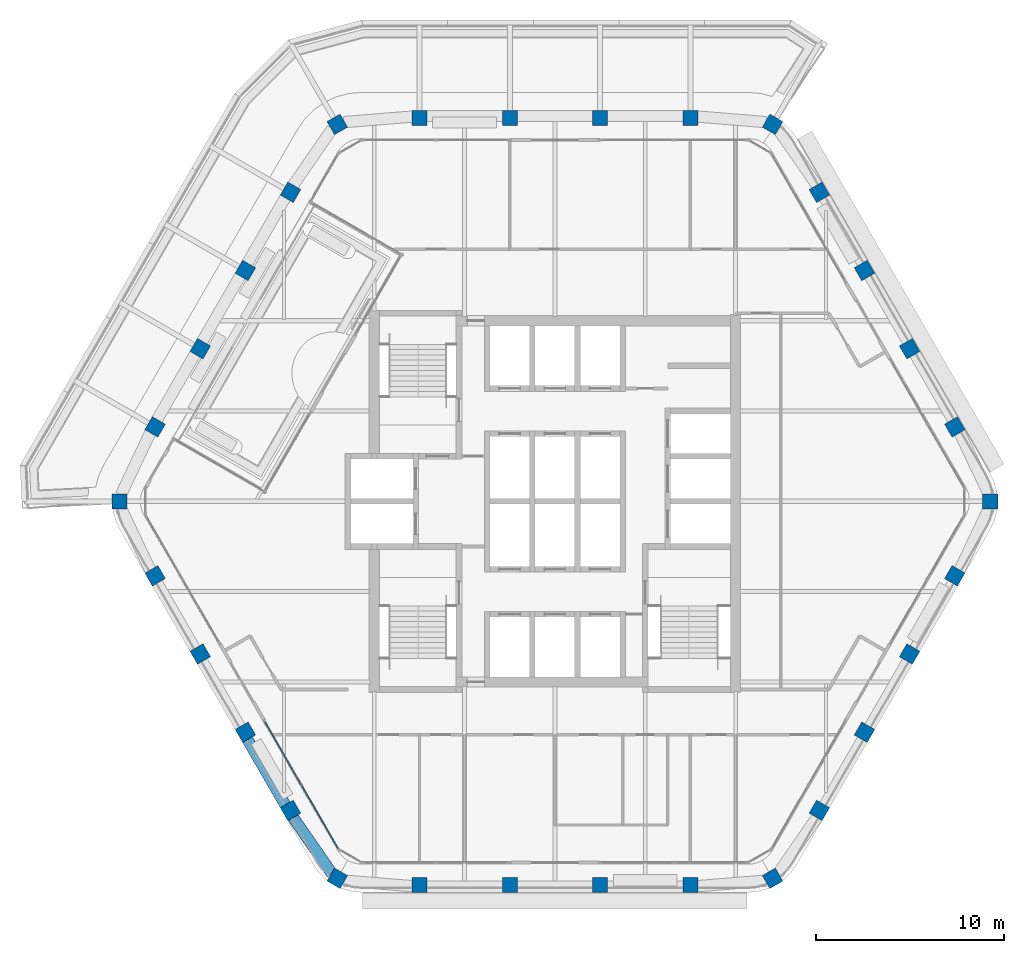
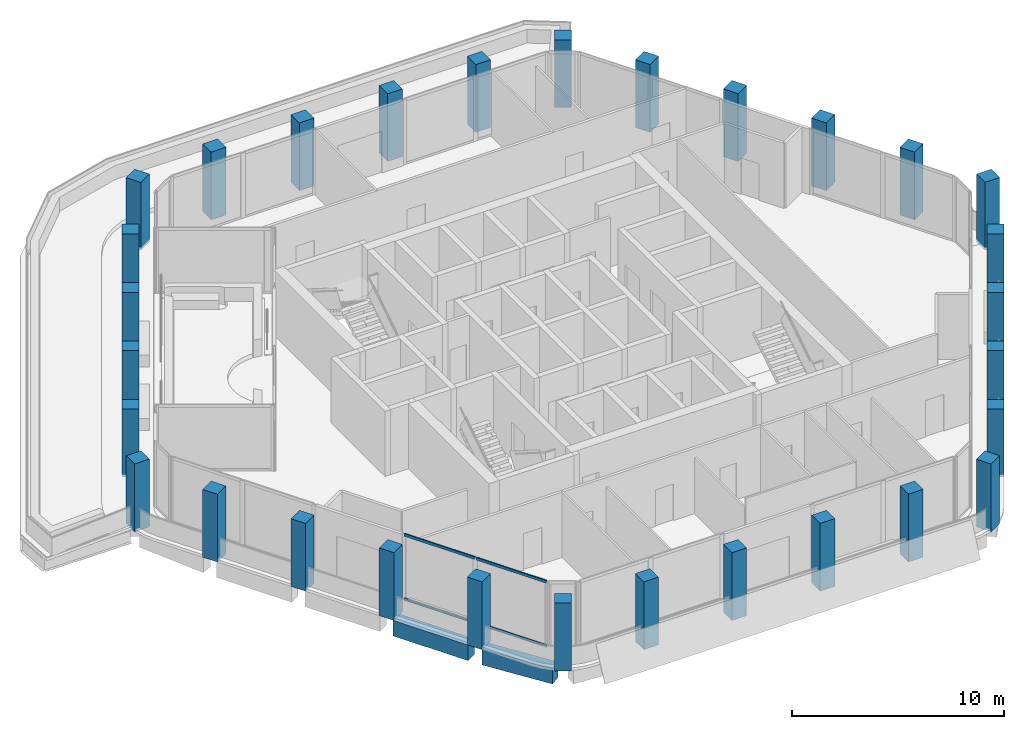
# One storey, part 1 of 16: 30 columns, 4 members, 2 beams, 1 element without a shape of its own.
"""IFC4 building model written with IfcOpenShell, lengths in metres."""

from ifc_helpers import new_model, si_unit, direction, frame, origin, origin_2d, place, context, subcontext, project, spatial, rectangle, extrude, material, material_profile, profile_set, type_object, element, aggregate, save


model = new_model("IFC4")

# Units and contexts
model_context = context("Model", 3, precision=1e-05, world=origin(), true_north=direction((0.0, 1.0)))
body_context = subcontext(model_context, "Body", "Model", "MODEL_VIEW")
ifc_project = project(units=[si_unit("LENGTHUNIT", "METRE"), si_unit("AREAUNIT", "SQUARE_METRE"), si_unit("VOLUMEUNIT", "CUBIC_METRE"), si_unit("PLANEANGLEUNIT", "RADIAN"), si_unit("MASSUNIT", "GRAM", prefix="KILO")], contexts=[model_context])

# Site, building, storey
site_placement = place(None, origin())
site = spatial("IfcSite", under=ifc_project, at=site_placement, CompositionType="ELEMENT")
building_placement = place(site_placement, origin())
building = spatial("IfcBuilding", under=site, at=building_placement, Name="Kolab Exchange Tower", CompositionType="ELEMENT")
storey_placement = place(building_placement, frame((0.0, 0.0, 254.0)))
storey = spatial("IfcBuildingStorey", under=building, at=storey_placement, Name="L56", CompositionType="ELEMENT", Elevation=254.0)

# Columns
ifc_material_1 = material(Name="Concrete C50/60", Category="concrete")
ifc_material_profile_1 = material_profile(ifc_material_1, rectangle(XDim=0.800048828125, YDim=0.800048828125, at=origin_2d()), Name="RC800")
ifc_profile_set_1 = profile_set([ifc_material_profile_1], Name="Concrete C50/60")
column_type = type_object("IfcColumnType", Name="PERIMETER COLUMN 800 SQ C50/60", PredefinedType="COLUMN", material=ifc_profile_set_1)
for number, where, z_axis, x_axis, name in (
    (1, (-11.56787109375, 20.036376953125, -0.14990234375), (0.0, 0.0, 1.0), (0.866025403784, 0.5, 0.0), "col/L56/F1-01"),
    (2, (-7.199951171875, 20.384521484375, -0.14990234375), (0.0, 0.0, 1.0), (1.0, 0.0, 0.0), "col/L56/F1-02"),
    (3, (-2.39990234375, 20.384521484375, -0.14990234375), (0.0, 0.0, 1.0), (1.0, 0.0, 0.0), "col/L56/F1-03"),
    (4, (2.39990234375, 20.384521484375, -0.14990234375), (0.0, 0.0, 1.0), (1.0, 0.0, 0.0), "col/L56/F1-04"),
    (5, (7.199951171875, 20.384521484375, -0.14990234375), (0.0, 0.0, 1.0), (1.0, 0.0, 0.0), "col/L56/F1-05"),
    (6, (11.56787109375, 20.036376953125, -0.14990234375), (0.0, 0.0, 1.0), (0.5, 0.866025403784, 0.0), "col/L56/F2-01"),
    (7, (14.0537109375, 16.427734375, -0.14990234375), (0.0, 0.0, 1.0), (0.866025403784, 0.5, 0.0), "col/L56/F2-02"),
    (8, (16.45361328125, 12.270751953125, -0.14990234375), (0.0, 0.0, 1.0), (0.866025403784, 0.5, 0.0), "col/L56/F2-03"),
    (9, (18.853515625, 8.11376953125, -0.14990234375), (0.0, 0.0, 1.0), (0.866025403784, 0.5, 0.0), "col/L56/F2-04"),
    (10, (21.253662109375, 3.95703125, -0.14990234375), (0.0, 0.0, 1.0), (0.866025403784, 0.5, 0.0), "col/L56/F2-05"),
    (11, (23.135986328125, 0.0, -0.14990234375), (0.0, 0.0, 1.0), (1.0, 0.0, 0.0), "col/L56/F3-01"),
    (12, (21.253662109375, -3.95703125, -0.14990234375), (0.0, 0.0, 1.0), (0.5, 0.866025403784, 0.0), "col/L56/F3-02"),
    (13, (18.853515625, -8.11376953125, -0.14990234375), (0.0, 0.0, 1.0), (0.5, 0.866025403784, 0.0), "col/L56/F3-03"),
    (14, (16.45361328125, -12.270751953125, -0.14990234375), (0.0, 0.0, 1.0), (0.5, 0.866025403784, 0.0), "col/L56/F3-04"),
    (15, (14.0537109375, -16.427734375, -0.14990234375), (0.0, 0.0, 1.0), (0.5, 0.866025403784, 0.0), "col/L56/F3-05"),
    (16, (11.56787109375, -20.036376953125, -0.14990234375), (0.0, 0.0, 1.0), (0.866025403784, 0.5, 0.0), "col/L56/F4-01"),
    (17, (7.199951171875, -20.384521484375, -0.14990234375), (0.0, 0.0, 1.0), (1.0, 0.0, 0.0), "col/L56/F4-02"),
    (18, (2.39990234375, -20.384521484375, -0.14990234375), (0.0, 0.0, 1.0), (1.0, 0.0, 0.0), "col/L56/F4-03"),
    (19, (-2.39990234375, -20.384521484375, -0.14990234375), (0.0, 0.0, 1.0), (1.0, 0.0, 0.0), "col/L56/F4-04"),
    (20, (-7.199951171875, -20.384521484375, -0.14990234375), (0.0, 0.0, 1.0), (1.0, 0.0, 0.0), "col/L56/F4-05"),
    (21, (-11.56787109375, -20.036376953125, -0.14990234375), (0.0, 0.0, 1.0), (0.5, 0.866025403784, 0.0), "col/L56/F5-01"),
    (22, (-14.0537109375, -16.427734375, -0.14990234375), (0.0, 0.0, 1.0), (0.866025403784, 0.5, 0.0), "col/L56/F5-02"),
    (23, (-16.45361328125, -12.270751953125, -0.14990234375), (0.0, 0.0, 1.0), (0.866025403784, 0.5, 0.0), "col/L56/F5-03"),
    (24, (-18.853515625, -8.11376953125, -0.14990234375), (0.0, 0.0, 1.0), (0.866025403784, 0.5, 0.0), "col/L56/F5-04"),
    (25, (-21.253662109375, -3.95703125, -0.14990234375), (0.0, 0.0, 1.0), (0.866025403784, 0.5, 0.0), "col/L56/F5-05"),
    (26, (-23.135986328125, 0.0, -0.14990234375), (0.0, 0.0, 1.0), (1.0, 0.0, 0.0), "col/L56/F6-01"),
    (27, (-21.253662109375, 3.95703125, -0.14990234375), (0.0, 0.0, 1.0), (0.5, 0.866025403784, 0.0), "col/L56/F6-02"),
    (28, (-18.853515625, 8.11376953125, -0.14990234375), (0.0, 0.0, 1.0), (0.5, 0.866025403784, 0.0), "col/L56/F6-03"),
    (29, (-16.45361328125, 12.270751953125, -0.14990234375), (0.0, 0.0, 1.0), (0.5, 0.866025403784, 0.0), "col/L56/F6-04"),
    (30, (-14.0537109375, 16.427734375, -0.14990234375), (0.0, 0.0, 1.0), (0.5, 0.866025403784, 0.0), "col/L56/F6-05"),
):
    element("IfcColumn", number, at=place(storey_placement, frame(where, z_axis=z_axis, x_axis=x_axis)), inside=storey, type_object=column_type, Name=name, PredefinedType="COLUMN", context=body_context, shape_type="SweptSolid", body=[
        extrude(rectangle(XDim=0.800048828125, YDim=0.800048828125, at=origin_2d()), origin(), (0.0, 0.0, 1.0), 3.89990234375),
    ])

# Beams
ifc_material_profile_2 = material_profile(ifc_material_1, rectangle(XDim=0.60009765625, YDim=0.89990234375, at=origin_2d()), Name="RC600X900")
ifc_profile_set_2 = profile_set([ifc_material_profile_2], Name="Concrete C50/60")
beam_type = type_object("IfcBeamType", Name="SPANDREL BEAM 600X900 C50/60", PredefinedType="BEAM", material=ifc_profile_set_2)
beam_1_placement = place(storey_placement, frame((-11.846923828125, -19.7919921875, -0.60009765625), z_axis=(-0.569005808573, 0.822333502789, 0.0), x_axis=(-0.822333502789, -0.569005808573, 0.0)))
element("IfcBeam", 31, at=beam_1_placement, inside=storey, type_object=beam_type, Name="beam/L56/sp/F5-01", PredefinedType="BEAM", context=body_context, shape_type="SweptSolid", body=[
    extrude(rectangle(XDim=0.60009765625, YDim=0.89990234375, at=origin_2d()), origin(), (0.0, 0.0, 1.0), 3.6689453125),
])
beam_2_placement = place(storey_placement, frame((-14.3203125, -16.166015625, -0.60009765625), z_axis=(-0.499955548806, 0.866051066172, 0.0), x_axis=(-0.866051066172, -0.499955548806, 0.0)))
element("IfcBeam", 32, at=beam_2_placement, inside=storey, type_object=beam_type, Name="beam/L56/sp/F5-02", PredefinedType="BEAM", context=body_context, shape_type="SweptSolid", body=[
    extrude(rectangle(XDim=0.60009765625, YDim=0.89990234375, at=origin_2d()), origin(), (0.0, 0.0, 1.0), 4.079833984375),
])

# Curtain wall, members
ifc_material_2 = material(Name="Aluminium EN AW-6063 T6", Category="aluminium")
curtain_wall_type = type_object("IfcCurtainWallType", Name="UNITISED HIGH ZONE CURTAIN WALL", PredefinedType="NOTDEFINED", material=ifc_material_2)
curtain_wall_placement = place(storey_placement, origin())
curtain_wall = element("IfcCurtainWall", 33, at=curtain_wall_placement, inside=storey, type_object=curtain_wall_type, Name="cw/L56/F5-1", PredefinedType="NOTDEFINED")
ifc_material_profile_3 = material_profile(ifc_material_2, rectangle(XDim=0.06005859375, YDim=0.159912109375, at=origin_2d()), Name="RECT 60X160")
ifc_profile_set_3 = profile_set([ifc_material_profile_3], Name="Aluminium EN AW-6063 T6")
member_type = type_object("IfcMemberType", Name="UNITISED HIGH ZONE TRANSOM 60 X 160", PredefinedType="USERDEFINED", material=ifc_profile_set_3)
member_1_placement = place(storey_placement, frame((-11.527587890625, -18.442626953125, 0.030029296875), z_axis=(-0.500039492609, 0.866002601515, 0.0), x_axis=(-0.866002601515, -0.500039492609, 0.0)))
member_1 = element("IfcMember", 34, at=member_1_placement, type_object=member_type, Name="CW4 transom 1.1", ObjectType="TRANSOM", PredefinedType="USERDEFINED", context=body_context, shape_type="SweptSolid", body=[
    extrude(rectangle(XDim=0.06005859375, YDim=0.159912109375, at=origin_2d()), origin(), (0.0, 0.0, 1.0), 3.843994140625),
])
member_2_placement = place(storey_placement, frame((-11.527587890625, -18.442626953125, 3.719970703125), z_axis=(-0.500039492609, 0.866002601515, 0.0), x_axis=(-0.866002601515, -0.500039492609, 0.0)))
member_2 = element("IfcMember", 35, at=member_2_placement, type_object=member_type, Name="CW4 transom 1.2", ObjectType="TRANSOM", PredefinedType="USERDEFINED", context=body_context, shape_type="SweptSolid", body=[
    extrude(rectangle(XDim=0.06005859375, YDim=0.159912109375, at=origin_2d()), origin(), (0.0, 0.0, 1.0), 3.843994140625),
])
member_3_placement = place(storey_placement, frame((-13.479736328125, -15.061767578125, 0.030029296875), z_axis=(-0.499964356602, 0.866045981532, 0.0), x_axis=(-0.866045981532, -0.499964356602, 0.0)))
member_3 = element("IfcMember", 36, at=member_3_placement, type_object=member_type, Name="CW4 transom 2.1", ObjectType="TRANSOM", PredefinedType="USERDEFINED", context=body_context, shape_type="SweptSolid", body=[
    extrude(rectangle(XDim=0.06005859375, YDim=0.159912109375, at=origin_2d()), origin(), (0.0, 0.0, 1.0), 3.843994140625),
])
member_4_placement = place(storey_placement, frame((-13.479736328125, -15.061767578125, 3.719970703125), z_axis=(-0.499964356602, 0.866045981532, 0.0), x_axis=(-0.866045981532, -0.499964356602, 0.0)))
member_4 = element("IfcMember", 37, at=member_4_placement, type_object=member_type, Name="CW4 transom 2.2", ObjectType="TRANSOM", PredefinedType="USERDEFINED", context=body_context, shape_type="SweptSolid", body=[
    extrude(rectangle(XDim=0.06005859375, YDim=0.159912109375, at=origin_2d()), origin(), (0.0, 0.0, 1.0), 3.843994140625),
])
aggregate(curtain_wall, [member_1, member_2, member_3, member_4])

save(model, "model.ifc")
